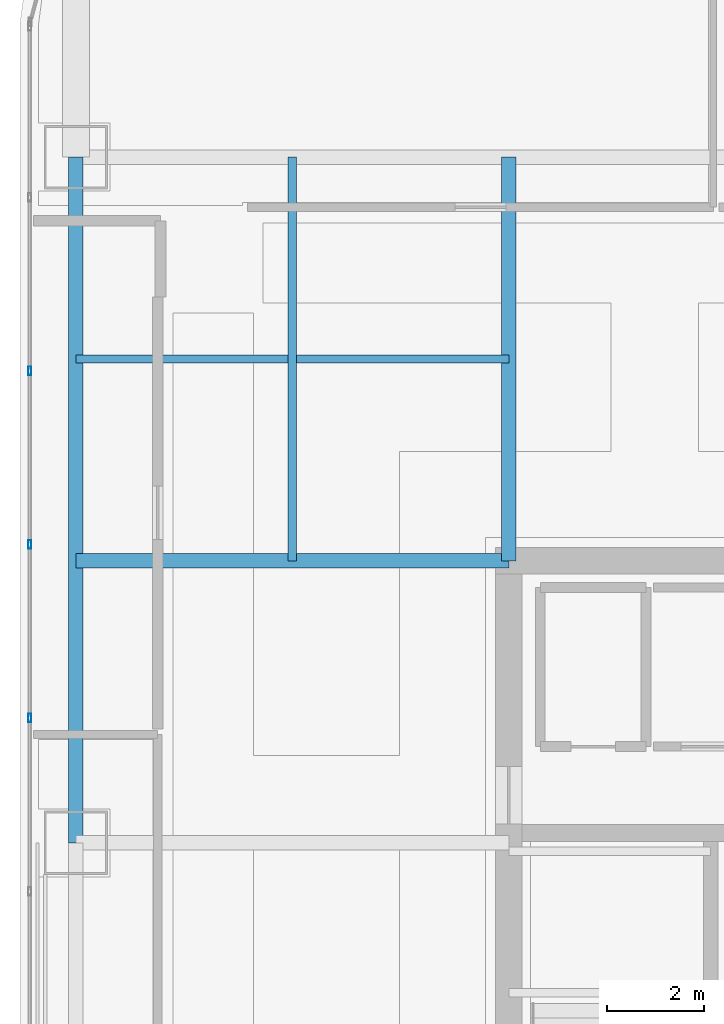
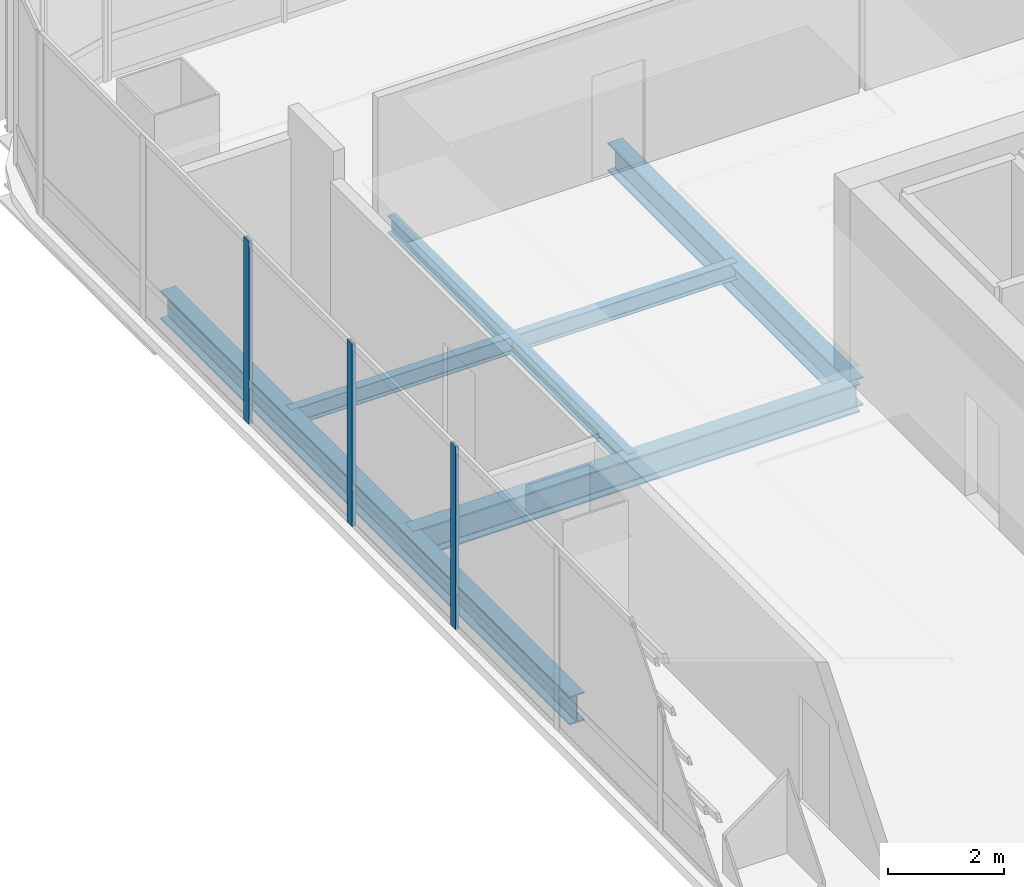
# One storey, part 12 of 42: 5 beams, 3 members, 1 element without a shape of its own.
"""IFC4 building model written with IfcOpenShell, lengths in metres."""

from ifc_helpers import new_model, si_unit, direction, frame, origin, origin_2d, place, context, subcontext, project, spatial, hollow_rectangle, i_section, extrude, material, material_profile, profile_set, type_object, element, aggregate, save


model = new_model("IFC4")

# Units and contexts
model_context = context("Model", 3, precision=1e-05, world=origin(), true_north=direction((0.0, 1.0)))
body_context = subcontext(model_context, "Body", "Model", "MODEL_VIEW")
ifc_project = project(units=[si_unit("LENGTHUNIT", "METRE"), si_unit("AREAUNIT", "SQUARE_METRE"), si_unit("VOLUMEUNIT", "CUBIC_METRE"), si_unit("PLANEANGLEUNIT", "RADIAN"), si_unit("MASSUNIT", "GRAM", prefix="KILO")], contexts=[model_context])

# Site, building, storey
site_placement = place(None, origin())
site = spatial("IfcSite", under=ifc_project, at=site_placement, CompositionType="ELEMENT")
building_placement = place(site_placement, origin())
building = spatial("IfcBuilding", under=site, at=building_placement, Name="Punatoya Terracotta Tower", CompositionType="ELEMENT")
storey_placement = place(building_placement, frame((0.0, 0.0, 255.449951171875)))
storey = spatial("IfcBuildingStorey", under=building, at=storey_placement, Name="L60", CompositionType="ELEMENT", Elevation=255.449951171875)

# Beams
ifc_material_1 = material(Name="Steel S355", Category="steel")
ifc_material_profile_1 = material_profile(ifc_material_1, i_section(OverallWidth=0.300048828125, OverallDepth=0.60009765625, WebThickness=0.015380859375, FlangeThickness=0.030029296875, FilletRadius=0.01806640625, at=origin_2d()))
ifc_profile_set_1 = profile_set([ifc_material_profile_1], Name="Steel S355")
beam_type_1 = type_object("IfcBeamType", Name="BM-PRI-600", PredefinedType="BEAM", material=ifc_profile_set_1)
beam_1_placement = place(storey_placement, frame((-19.10009765625, 3.39990234375, -0.5), z_axis=(0.0, 1.0, 0.0), x_axis=(-1.0, 0.0, 0.0)))
element("IfcBeam", 1, at=beam_1_placement, inside=storey, type_object=beam_type_1, Name="BM-L60-RG-W3", PredefinedType="BEAM", context=body_context, shape_type="SweptSolid", body=[
    extrude(i_section(OverallWidth=0.300048828125, OverallDepth=0.60009765625, WebThickness=0.015380859375, FlangeThickness=0.030029296875, FilletRadius=0.01806640625, at=origin_2d()), origin(), (0.0, 0.0, 1.0), 14.10009765625),
])
beam_2_placement = place(storey_placement, frame((-19.10009765625, 9.199951171875, -0.5), z_axis=(1.0, 0.0, 0.0), x_axis=(0.0, 1.0, 0.0)))
element("IfcBeam", 2, at=beam_2_placement, inside=storey, type_object=beam_type_1, Name="BM-L60-PR-WN", PredefinedType="BEAM", context=body_context, shape_type="SweptSolid", body=[
    extrude(i_section(OverallWidth=0.300048828125, OverallDepth=0.60009765625, WebThickness=0.015380859375, FlangeThickness=0.030029296875, FilletRadius=0.01806640625, at=origin_2d()), origin(), (0.0, 0.0, 1.0), 8.900146484375),
])
beam_3_placement = place(storey_placement, frame((-10.199951171875, 9.199951171875, -0.5), z_axis=(0.0, 1.0, 0.0), x_axis=(-1.0, 0.0, 0.0)))
element("IfcBeam", 3, at=beam_3_placement, inside=storey, type_object=beam_type_1, Name="BM-L60-PR-N1", PredefinedType="BEAM", context=body_context, shape_type="SweptSolid", body=[
    extrude(i_section(OverallWidth=0.300048828125, OverallDepth=0.60009765625, WebThickness=0.015380859375, FlangeThickness=0.030029296875, FilletRadius=0.01806640625, at=origin_2d()), origin(), (0.0, 0.0, 1.0), 8.300048828125),
])
ifc_material_profile_2 = material_profile(ifc_material_1, i_section(OverallWidth=0.169921875, OverallDepth=0.360107421875, WebThickness=0.008056640625, FlangeThickness=0.0126953125, FilletRadius=0.01806640625, at=origin_2d()))
ifc_profile_set_2 = profile_set([ifc_material_profile_2], Name="Steel S355")
beam_type_2 = type_object("IfcBeamType", Name="BM-SEC-360", PredefinedType="JOIST", material=ifc_profile_set_2)
beam_4_placement = place(storey_placement, frame((-19.10009765625, 13.35009765625, -0.3798828125), z_axis=(1.0, 0.0, 0.0), x_axis=(0.0, 1.0, 0.0)))
element("IfcBeam", 4, at=beam_4_placement, inside=storey, type_object=beam_type_2, Name="BM-L60-SJN-1", PredefinedType="JOIST", context=body_context, shape_type="SweptSolid", body=[
    extrude(i_section(OverallWidth=0.169921875, OverallDepth=0.360107421875, WebThickness=0.008056640625, FlangeThickness=0.0126953125, FilletRadius=0.01806640625, at=origin_2d()), origin(), (0.0, 0.0, 1.0), 8.900146484375),
])
beam_5_placement = place(storey_placement, frame((-14.64990234375, 9.199951171875, -0.3798828125), z_axis=(0.0, 1.0, 0.0), x_axis=(-1.0, 0.0, 0.0)))
element("IfcBeam", 5, at=beam_5_placement, inside=storey, type_object=beam_type_2, Name="BM-L60-SJW-2", PredefinedType="JOIST", context=body_context, shape_type="SweptSolid", body=[
    extrude(i_section(OverallWidth=0.169921875, OverallDepth=0.360107421875, WebThickness=0.008056640625, FlangeThickness=0.0126953125, FilletRadius=0.01806640625, at=origin_2d()), origin(), (0.0, 0.0, 1.0), 8.300048828125),
])

# Curtain wall, members
ifc_material_2 = material(Name="Aluminium 6063-T6 + Double Low-E Glass", Category="aluminium")
curtain_wall_type = type_object("IfcCurtainWallType", Name="CW-M3", PredefinedType="NOTDEFINED", material=ifc_material_2)
curtain_wall_placement = place(storey_placement, origin())
curtain_wall = element("IfcCurtainWall", 6, at=curtain_wall_placement, inside=storey, type_object=curtain_wall_type, Name="L60 Curtain Wall CW-L60-W13-1", PredefinedType="NOTDEFINED")
ifc_material_3 = material(Name="Aluminium 6063-T6", Category="aluminium")
ifc_material_profile_3 = material_profile(ifc_material_3, hollow_rectangle(XDim=0.070068359375, YDim=0.179931640625, WallThickness=0.00390625, at=origin_2d()))
ifc_profile_set_3 = profile_set([ifc_material_profile_3], Name="Aluminium 6063-T6")
member_type = type_object("IfcMemberType", Name="CW-MUL-M3", PredefinedType="MULLION", material=ifc_profile_set_3)
member_1_placement = place(storey_placement, frame((-20.050048828125, 13.10205078125, 0.0), z_axis=(0.0, 0.0, 1.0), x_axis=(1.0, 0.0, 0.0)))
member_1 = element("IfcMember", 7, at=member_1_placement, type_object=member_type, Name="CW-L60-W13-1 Mullion 02", PredefinedType="MULLION", context=body_context, shape_type="SweptSolid", body=[
    extrude(hollow_rectangle(XDim=0.070068359375, YDim=0.179931640625, WallThickness=0.00390625, at=origin_2d()), origin(), (0.0, 0.0, 1.0), 3.85009765625),
])
member_2_placement = place(storey_placement, frame((-20.050048828125, 9.534912109375, 0.0), z_axis=(0.0, 0.0, 1.0), x_axis=(1.0, 0.0, 0.0)))
member_2 = element("IfcMember", 8, at=member_2_placement, type_object=member_type, Name="CW-L60-W13-1 Mullion 03", PredefinedType="MULLION", context=body_context, shape_type="SweptSolid", body=[
    extrude(hollow_rectangle(XDim=0.070068359375, YDim=0.179931640625, WallThickness=0.00390625, at=origin_2d()), origin(), (0.0, 0.0, 1.0), 3.85009765625),
])
member_3_placement = place(storey_placement, frame((-20.050048828125, 5.96728515625, 0.0), z_axis=(0.0, 0.0, 1.0), x_axis=(1.0, 0.0, 0.0)))
member_3 = element("IfcMember", 9, at=member_3_placement, type_object=member_type, Name="CW-L60-W13-1 Mullion 04", PredefinedType="MULLION", context=body_context, shape_type="SweptSolid", body=[
    extrude(hollow_rectangle(XDim=0.070068359375, YDim=0.179931640625, WallThickness=0.00390625, at=origin_2d()), origin(), (0.0, 0.0, 1.0), 3.85009765625),
])
aggregate(curtain_wall, [member_1, member_2, member_3])

save(model, "model.ifc")
